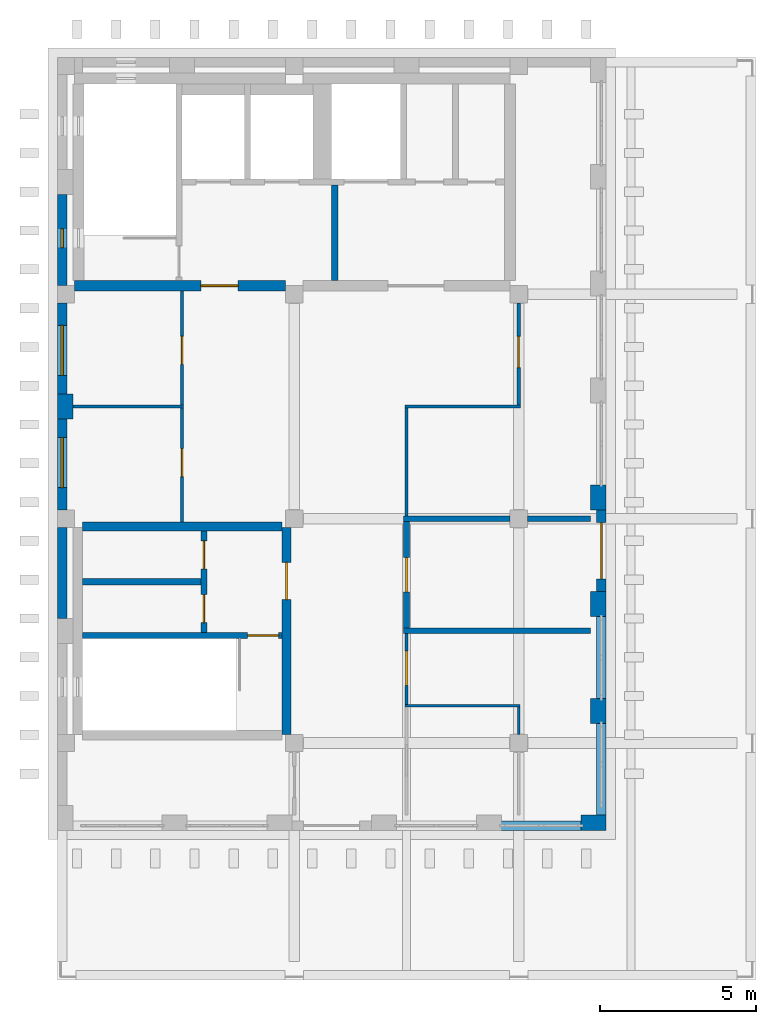
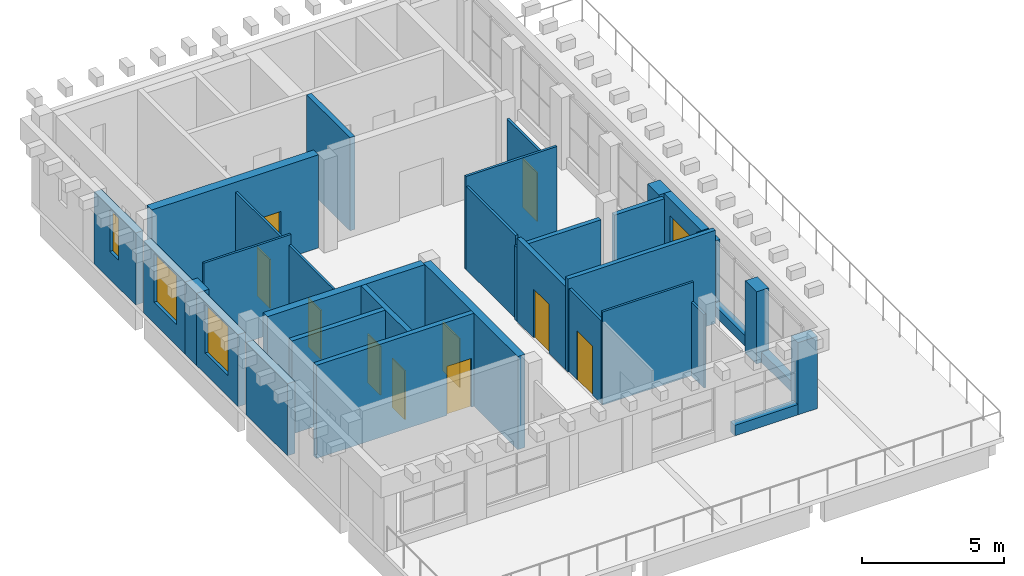
# One storey, part 4 of 6: 33 walls, 11 doors, 3 windows, 14 openings.
"""IFC4 building model written with IfcOpenShell, lengths in metres."""

from ifc_helpers import new_model, si_unit, direction, frame, frame_2d, origin, place, context, subcontext, project, spatial, rectangle, extrude, material, layer, layer_set, type_object, element, fill, save


model = new_model("IFC4")

# Units and contexts
model_context = context("Model", 3, precision=1e-05, world=origin(), true_north=direction((0.0, 1.0)))
body_context = subcontext(model_context, "Body", "Model", "MODEL_VIEW")
ifc_project = project(units=[si_unit("LENGTHUNIT", "METRE"), si_unit("AREAUNIT", "SQUARE_METRE"), si_unit("VOLUMEUNIT", "CUBIC_METRE"), si_unit("PLANEANGLEUNIT", "RADIAN"), si_unit("MASSUNIT", "GRAM", prefix="KILO")], contexts=[model_context])

# Site, building, storey
site_placement = place(None, origin())
site = spatial("IfcSite", under=ifc_project, at=site_placement, CompositionType="ELEMENT")
building_placement = place(site_placement, origin())
building = spatial("IfcBuilding", under=site, at=building_placement, Name="Ussher Court Research Institute", CompositionType="ELEMENT")
storey_placement = place(building_placement, frame((0.0, 0.0, 41.39990234375)))
storey = spatial("IfcBuildingStorey", under=building, at=storey_placement, Name="L09", CompositionType="ELEMENT", Elevation=41.39990234375)

# Walls
ifc_material_1 = material(Name="Plasterboard on steel studs with mineral wool", Category="steel")
ifc_layer_1 = layer(ifc_material_1, 0.179931640625)
ifc_layer_set_1 = layer_set([ifc_layer_1], Name="Plasterboard on steel studs with mineral wool")
wall_type_1 = type_object("IfcWallType", Name="Acoustic twin-stud partition 180", PredefinedType="PARTITIONING", material=ifc_layer_set_1)
wall_1_placement = place(storey_placement, frame((92.909912109375, 14.800048828125, 0.0), z_axis=(0.0, 0.0, 1.0), x_axis=(1.0, 0.0, 0.0)))
element("IfcWall", 1, at=wall_1_placement, inside=storey, type_object=wall_type_1, Name="Partition", PredefinedType="PARTITIONING", context=body_context, shape_type="SweptSolid", body=[
    extrude(rectangle(XDim=5.989990234375, YDim=0.179931640625, at=frame_2d((2.9951171875, 0.0))), origin(), (0.0, 0.0, 1.0), 4.0),
])
wall_2_placement = place(storey_placement, frame((92.909912109375, 18.39990234375, 0.0), z_axis=(0.0, 0.0, 1.0), x_axis=(1.0, 0.0, 0.0)))
element("IfcWall", 2, at=wall_2_placement, inside=storey, type_object=wall_type_1, Name="Partition", PredefinedType="PARTITIONING", context=body_context, shape_type="SweptSolid", body=[
    extrude(rectangle(XDim=3.4150390625, YDim=0.179931640625, at=frame_2d((1.70751953125, 0.0))), origin(), (0.0, 0.0, 1.0), 3.170166015625),
])
wall_3_placement = place(storey_placement, frame((96.875, 18.39990234375, 0.0), z_axis=(0.0, 0.0, 1.0), x_axis=(1.0, 0.0, 0.0)))
element("IfcWall", 3, at=wall_3_placement, inside=storey, type_object=wall_type_1, Name="Partition", PredefinedType="PARTITIONING", context=body_context, shape_type="SweptSolid", body=[
    extrude(rectangle(XDim=2.02490234375, YDim=0.179931640625, at=frame_2d((1.012451171875, 0.0))), origin(), (0.0, 0.0, 1.0), 3.170166015625),
])

# Wall, opening, door
wall_4_placement = place(storey_placement, frame((93.0, 18.31005859375, 0.0), z_axis=(0.0, 0.0, 1.0), x_axis=(0.0, -1.0, 0.0)))
wall_4 = element("IfcWall", 4, at=wall_4_placement, inside=storey, type_object=wall_type_1, Name="Partition", PredefinedType="PARTITIONING", context=body_context, shape_type="SweptSolid", body=[
    extrude(rectangle(XDim=3.420166015625, YDim=0.179931640625, at=frame_2d((1.7099609375, 0.0))), origin(), (0.0, 0.0, 1.0), 3.570068359375),
])
opening_1_placement = place(wall_4_placement, frame((1.159912109375, 0.0, 0.0)))
opening_1 = element("IfcOpeningElement", 5, at=opening_1_placement, cuts=wall_4, Name="Opening D09012", PredefinedType="OPENING", context=body_context, shape_type="SweptSolid", body=[
    extrude(rectangle(XDim=1.10009765625, YDim=2.10009765625, at=frame_2d((0.550048828125, 1.050048828125))), frame((0.0, 0.10009765625, 0.0), z_axis=(0.0, -1.0, 0.0), x_axis=(1.0, 0.0, 0.0)), (0.0, 0.0, 1.0), 0.199951171875),
])
ifc_material_2 = material(Name="Veneered timber door", Category="wood")
door_type_1 = type_object("IfcDoorType", Name="Boardroom door 1100x2100", OperationType="NOTDEFINED", PredefinedType="DOOR", material=ifc_material_2)
door_1_placement = place(opening_1_placement, origin())
door_1 = element("IfcDoor", 6, at=door_1_placement, inside=storey, type_object=door_type_1, Name="Door D09012", OperationType="SINGLE_SWING_LEFT", OverallHeight=2.10009765625, OverallWidth=1.10009765625, PredefinedType="DOOR", context=body_context, shape_type="SweptSolid", body=[
    extrude(rectangle(XDim=1.10009765625, YDim=2.10009765625, at=frame_2d((0.550048828125, 1.050048828125))), frame((0.0, 0.02490234375, 0.0), z_axis=(0.0, -1.0, 0.0), x_axis=(1.0, 0.0, 0.0)), (0.0, 0.0, 1.0), 0.050048828125),
])
fill(opening_1, door_1)

# Wall, opening, window
ifc_material_3 = material(Name="Blockwork with cream render", Category="masonry")
ifc_layer_2 = layer(ifc_material_3, 0.300048828125)
ifc_layer_set_2 = layer_set([ifc_layer_2], Name="Blockwork with cream render")
wall_type_2 = type_object("IfcWallType", Name="External wall 300 cream render", PredefinedType="SOLIDWALL", material=ifc_layer_set_2)
wall_5_placement = place(storey_placement, frame((81.949951171875, 18.675048828125, 0.0), z_axis=(0.0, 0.0, 1.0), x_axis=(0.0, 1.0, 0.0)))
wall_5 = element("IfcWall", 7, at=wall_5_placement, inside=storey, type_object=wall_type_2, Name="External wall EW1 L09", PredefinedType="SOLIDWALL", context=body_context, shape_type="SweptSolid", body=[
    extrude(rectangle(XDim=2.925048828125, YDim=0.300048828125, at=frame_2d((1.46240234375, 0.0))), origin(), (0.0, 0.0, 1.0), 3.10009765625),
])
opening_2_placement = place(wall_5_placement, frame((0.72509765625, 0.0, 0.89990234375)))
opening_2 = element("IfcOpeningElement", 8, at=opening_2_placement, cuts=wall_5, Name="Opening W12", PredefinedType="OPENING", context=body_context, shape_type="SweptSolid", body=[
    extrude(rectangle(XDim=1.60009765625, YDim=2.10009765625, at=frame_2d((0.800048828125, 1.050048828125))), frame((0.0, 0.16015625, 0.0), z_axis=(0.0, -1.0, 0.0), x_axis=(1.0, 0.0, 0.0)), (0.0, 0.0, 1.0), 0.320068359375),
])
ifc_material_4 = material(Name="Bronze anodised aluminium with double glazing", Category="aluminium")
window_type_1 = type_object("IfcWindowType", Name="Top floor office window 1600x2100", PartitioningType="DOUBLE_PANEL_VERTICAL", PredefinedType="WINDOW", material=ifc_material_4)
window_1_placement = place(opening_2_placement, origin())
window_1 = element("IfcWindow", 9, at=window_1_placement, inside=storey, type_object=window_type_1, Name="Window W12 L09", OverallHeight=2.10009765625, OverallWidth=1.60009765625, PartitioningType="SINGLE_PANEL", PredefinedType="WINDOW", context=body_context, shape_type="SweptSolid", body=[
    extrude(rectangle(XDim=1.60009765625, YDim=2.10009765625, at=frame_2d((0.800048828125, 1.050048828125))), frame((0.0, 0.030029296875, 0.0), z_axis=(0.0, -1.0, 0.0), x_axis=(1.0, 0.0, 0.0)), (0.0, 0.0, 1.0), 0.06005859375),
])
fill(opening_2, window_1)

wall_6_placement = place(storey_placement, frame((81.949951171875, 22.39990234375, 0.0), z_axis=(0.0, 0.0, 1.0), x_axis=(0.0, 1.0, 0.0)))
wall_6 = element("IfcWall", 10, at=wall_6_placement, inside=storey, type_object=wall_type_2, Name="External wall EW1 L09", PredefinedType="SOLIDWALL", context=body_context, shape_type="SweptSolid", body=[
    extrude(rectangle(XDim=2.925048828125, YDim=0.300048828125, at=frame_2d((1.46240234375, 0.0))), origin(), (0.0, 0.0, 1.0), 3.10009765625),
])
opening_3_placement = place(wall_6_placement, frame((0.60009765625, 0.0, 0.89990234375)))
opening_3 = element("IfcOpeningElement", 11, at=opening_3_placement, cuts=wall_6, Name="Opening W12", PredefinedType="OPENING", context=body_context, shape_type="SweptSolid", body=[
    extrude(rectangle(XDim=1.60009765625, YDim=2.10009765625, at=frame_2d((0.800048828125, 1.050048828125))), frame((0.0, 0.16015625, 0.0), z_axis=(0.0, -1.0, 0.0), x_axis=(1.0, 0.0, 0.0)), (0.0, 0.0, 1.0), 0.320068359375),
])
window_2_placement = place(opening_3_placement, origin())
window_2 = element("IfcWindow", 12, at=window_2_placement, inside=storey, type_object=window_type_1, Name="Window W12 L09", OverallHeight=2.10009765625, OverallWidth=1.60009765625, PartitioningType="SINGLE_PANEL", PredefinedType="WINDOW", context=body_context, shape_type="SweptSolid", body=[
    extrude(rectangle(XDim=1.60009765625, YDim=2.10009765625, at=frame_2d((0.800048828125, 1.050048828125))), frame((0.0, 0.030029296875, 0.0), z_axis=(0.0, -1.0, 0.0), x_axis=(1.0, 0.0, 0.0)), (0.0, 0.0, 1.0), 0.06005859375),
])
fill(opening_3, window_2)

# Wall, opening, door
wall_7_placement = place(storey_placement, frame((99.25, 18.685791015625, 0.0), z_axis=(0.0, 0.0, 1.0), x_axis=(0.0, -1.0, 0.0)))
wall_7 = element("IfcWall", 13, at=wall_7_placement, inside=storey, type_object=wall_type_2, Name="External wall EW1 L09", PredefinedType="SOLIDWALL", context=body_context, shape_type="SweptSolid", body=[
    extrude(rectangle(XDim=2.628662109375, YDim=0.300048828125, at=frame_2d((1.314453125, 0.0))), origin(), (0.0, 0.0, 1.0), 3.10009765625),
])
opening_4_placement = place(wall_7_placement, frame((0.414306640625, 0.0, 0.0)))
opening_4 = element("IfcOpeningElement", 14, at=opening_4_placement, cuts=wall_7, Name="Opening DX31", PredefinedType="OPENING", context=body_context, shape_type="SweptSolid", body=[
    extrude(rectangle(XDim=1.800048828125, YDim=2.39990234375, at=frame_2d((0.89990234375, 1.199951171875))), frame((0.0, 0.16015625, 0.0), z_axis=(0.0, -1.0, 0.0), x_axis=(1.0, 0.0, 0.0)), (0.0, 0.0, 1.0), 0.320068359375),
])
ifc_material_5 = material(Name="Bronze anodised aluminium with toughened glass", Category="aluminium")
door_type_2 = type_object("IfcDoorType", Name="Terrace double door 1800x2400", OperationType="DOUBLE_DOOR_SINGLE_SWING", PredefinedType="DOOR", material=ifc_material_5)
door_2_placement = place(opening_4_placement, origin())
door_2 = element("IfcDoor", 15, at=door_2_placement, inside=storey, type_object=door_type_2, Name="Door DX31", OperationType="SINGLE_SWING_LEFT", OverallHeight=2.39990234375, OverallWidth=1.800048828125, PredefinedType="DOOR", context=body_context, shape_type="SweptSolid", body=[
    extrude(rectangle(XDim=1.800048828125, YDim=2.39990234375, at=frame_2d((0.89990234375, 1.199951171875))), frame((0.0, 0.02490234375, 0.0), z_axis=(0.0, -1.0, 0.0), x_axis=(1.0, 0.0, 0.0)), (0.0, 0.0, 1.0), 0.050048828125),
])
fill(opening_4, door_2)

# Walls
wall_8_placement = place(storey_placement, frame((99.25, 15.257080078125, 0.0), z_axis=(0.0, 0.0, 1.0), x_axis=(0.0, -1.0, 0.0)))
element("IfcWall", 16, at=wall_8_placement, inside=storey, type_object=wall_type_2, Name="Plinth wall EW1 L09", PredefinedType="SOLIDWALL", context=body_context, shape_type="SweptSolid", body=[
    extrude(rectangle(XDim=2.62841796875, YDim=0.300048828125, at=frame_2d((1.314208984375, 0.0))), origin(), (0.0, 0.0, 1.0), 0.4501953125),
])
wall_9_placement = place(storey_placement, frame((99.25, 11.82861328125, 0.0), z_axis=(0.0, 0.0, 1.0), x_axis=(0.0, -1.0, 0.0)))
element("IfcWall", 17, at=wall_9_placement, inside=storey, type_object=wall_type_2, Name="Plinth wall EW1 L09", PredefinedType="SOLIDWALL", context=body_context, shape_type="SweptSolid", body=[
    extrude(rectangle(XDim=2.9287109375, YDim=0.300048828125, at=frame_2d((1.46435546875, 0.0))), origin(), (0.0, 0.0, 1.0), 0.4501953125),
])
wall_10_placement = place(storey_placement, frame((98.60009765625, 8.550048828125, 0.0), z_axis=(0.0, 0.0, 1.0), x_axis=(-1.0, 0.0, 0.0)))
element("IfcWall", 18, at=wall_10_placement, inside=storey, type_object=wall_type_2, Name="Plinth wall EW1 L09", PredefinedType="SOLIDWALL", context=body_context, shape_type="SweptSolid", body=[
    extrude(rectangle(XDim=2.56005859375, YDim=0.300048828125, at=frame_2d((1.280029296875, 0.0))), origin(), (0.0, 0.0, 1.0), 0.4501953125),
])
ifc_material_6 = material(Name="Limestone facing on blockwork", Category="masonry")
ifc_layer_3 = layer(ifc_material_6, 0.300048828125)
ifc_layer_set_3 = layer_set([ifc_layer_3], Name="Limestone facing on blockwork")
wall_type_3 = type_object("IfcWallType", Name="External wall 300 stair enclosure", PredefinedType="SOLIDWALL", material=ifc_layer_set_3)
wall_11_placement = place(storey_placement, frame((81.949951171875, 15.199951171875, 0.0), z_axis=(0.0, 0.0, 1.0), x_axis=(0.0, 1.0, 0.0)))
element("IfcWall", 19, at=wall_11_placement, inside=storey, type_object=wall_type_3, Name="External wall EW5 L09", PredefinedType="SOLIDWALL", context=body_context, shape_type="SweptSolid", body=[
    extrude(rectangle(XDim=2.925048828125, YDim=0.300048828125, at=frame_2d((1.46240234375, 0.0))), origin(), (0.0, 0.0, 1.0), 3.10009765625),
])

# Wall, opening, window
wall_12_placement = place(storey_placement, frame((81.949951171875, 25.875, 0.0), z_axis=(0.0, 0.0, 1.0), x_axis=(0.0, 1.0, 0.0)))
wall_12 = element("IfcWall", 20, at=wall_12_placement, inside=storey, type_object=wall_type_3, Name="External wall EW5 L09", PredefinedType="SOLIDWALL", context=body_context, shape_type="SweptSolid", body=[
    extrude(rectangle(XDim=2.925048828125, YDim=0.300048828125, at=frame_2d((1.46240234375, 0.0))), origin(), (0.0, 0.0, 1.0), 3.10009765625),
])
opening_5_placement = place(wall_12_placement, frame((1.22509765625, 0.0, 1.199951171875)))
opening_5 = element("IfcOpeningElement", 21, at=opening_5_placement, cuts=wall_12, Name="Opening W25", PredefinedType="OPENING", context=body_context, shape_type="SweptSolid", body=[
    extrude(rectangle(XDim=0.60009765625, YDim=1.800048828125, at=frame_2d((0.300048828125, 0.89990234375))), frame((0.0, 0.16015625, 0.0), z_axis=(0.0, -1.0, 0.0), x_axis=(1.0, 0.0, 0.0)), (0.0, 0.0, 1.0), 0.320068359375),
])
ifc_material_7 = material(Name="Bronze anodised aluminium with double glazing", Category="aluminium")
window_type_2 = type_object("IfcWindowType", Name="Stair light slot window 600x1800 fire-resisting glazing", PartitioningType="SINGLE_PANEL", PredefinedType="WINDOW", material=ifc_material_7)
window_3_placement = place(opening_5_placement, origin())
window_3 = element("IfcWindow", 22, at=window_3_placement, inside=storey, type_object=window_type_2, Name="Window W25 L09", OverallHeight=1.800048828125, OverallWidth=0.60009765625, PartitioningType="SINGLE_PANEL", PredefinedType="WINDOW", context=body_context, shape_type="SweptSolid", body=[
    extrude(rectangle(XDim=0.60009765625, YDim=1.800048828125, at=frame_2d((0.300048828125, 0.89990234375))), frame((0.0, 0.030029296875, 0.0), z_axis=(0.0, -1.0, 0.0), x_axis=(1.0, 0.0, 0.0)), (0.0, 0.0, 1.0), 0.06005859375),
])
fill(opening_5, window_3)

# Wall
ifc_material_8 = material(Name="Plastered blockwork", Category="masonry")
ifc_layer_4 = layer(ifc_material_8, 0.10009765625)
ifc_layer_set_4 = layer_set([ifc_layer_4], Name="Plastered blockwork")
wall_type_4 = type_object("IfcWallType", Name="Partition plastered blockwork 100", PredefinedType="PARTITIONING", material=ifc_layer_set_4)
wall_13_placement = place(storey_placement, frame((92.949951171875, 22.0, 0.0), z_axis=(0.0, 0.0, 1.0), x_axis=(1.0, 0.0, 0.0)))
element("IfcWall", 23, at=wall_13_placement, inside=storey, type_object=wall_type_4, Name="Partition", PredefinedType="PARTITIONING", context=body_context, shape_type="SweptSolid", body=[
    extrude(rectangle(XDim=3.699951171875, YDim=0.10009765625, at=frame_2d((1.85009765625, 0.0))), origin(), (0.0, 0.0, 1.0), 4.0),
])

# Wall, opening, door
wall_14_placement = place(storey_placement, frame((93.0, 14.7099609375, 0.0), z_axis=(0.0, 0.0, 1.0), x_axis=(0.0, -1.0, 0.0)))
wall_14 = element("IfcWall", 24, at=wall_14_placement, inside=storey, type_object=wall_type_4, Name="Partition", PredefinedType="PARTITIONING", context=body_context, shape_type="SweptSolid", body=[
    extrude(rectangle(XDim=2.264892578125, YDim=0.10009765625, at=frame_2d((1.13232421875, 0.0))), origin(), (0.0, 0.0, 1.0), 3.570068359375),
])
opening_6_placement = place(wall_14_placement, frame((0.56005859375, 0.0, 0.0)))
opening_6 = element("IfcOpeningElement", 25, at=opening_6_placement, cuts=wall_14, Name="Opening D09011", PredefinedType="OPENING", context=body_context, shape_type="SweptSolid", body=[
    extrude(rectangle(XDim=1.10009765625, YDim=2.10009765625, at=frame_2d((0.550048828125, 1.050048828125))), frame((0.0, 0.06005859375, 0.0), z_axis=(0.0, -1.0, 0.0), x_axis=(1.0, 0.0, 0.0)), (0.0, 0.0, 1.0), 0.1201171875),
])
door_3_placement = place(opening_6_placement, origin())
door_3 = element("IfcDoor", 26, at=door_3_placement, inside=storey, type_object=door_type_1, Name="Door D09011", OperationType="SINGLE_SWING_LEFT", OverallHeight=2.10009765625, OverallWidth=1.10009765625, PredefinedType="DOOR", context=body_context, shape_type="SweptSolid", body=[
    extrude(rectangle(XDim=1.10009765625, YDim=2.10009765625, at=frame_2d((0.550048828125, 1.050048828125))), frame((0.0, 0.02490234375, 0.0), z_axis=(0.0, -1.0, 0.0), x_axis=(1.0, 0.0, 0.0)), (0.0, 0.0, 1.0), 0.050048828125),
])
fill(opening_6, door_3)

# Wall
wall_15_placement = place(storey_placement, frame((93.0, 18.489990234375, 0.0), z_axis=(0.0, 0.0, 1.0), x_axis=(0.0, 1.0, 0.0)))
element("IfcWall", 27, at=wall_15_placement, inside=storey, type_object=wall_type_4, Name="Partition", PredefinedType="PARTITIONING", context=body_context, shape_type="SweptSolid", body=[
    extrude(rectangle(XDim=3.4599609375, YDim=0.10009765625, at=frame_2d((1.72998046875, 0.0))), origin(), (0.0, 0.0, 1.0), 3.570068359375),
])

# Wall, opening, door
wall_16_placement = place(storey_placement, frame((96.60009765625, 25.324951171875, 0.0), z_axis=(0.0, 0.0, 1.0), x_axis=(0.0, -1.0, 0.0)))
wall_16 = element("IfcWall", 28, at=wall_16_placement, inside=storey, type_object=wall_type_4, Name="Partition", PredefinedType="PARTITIONING", context=body_context, shape_type="SweptSolid", body=[
    extrude(rectangle(XDim=3.27490234375, YDim=0.10009765625, at=frame_2d((1.637451171875, 0.0))), origin(), (0.0, 0.0, 1.0), 3.170166015625),
])
opening_7_placement = place(wall_16_placement, frame((1.074951171875, 0.0, 0.0)))
opening_7 = element("IfcOpeningElement", 29, at=opening_7_placement, cuts=wall_16, Name="Opening D09016", PredefinedType="OPENING", context=body_context, shape_type="SweptSolid", body=[
    extrude(rectangle(XDim=1.0, YDim=2.10009765625, at=frame_2d((0.5, 1.050048828125))), frame((0.0, 0.06005859375, 0.0), z_axis=(0.0, -1.0, 0.0), x_axis=(1.0, 0.0, 0.0)), (0.0, 0.0, 1.0), 0.1201171875),
])
ifc_material_9 = material(Name="Veneered timber door", Category="wood")
door_type_3 = type_object("IfcDoorType", Name="Lounge door 1000x2100", OperationType="NOTDEFINED", PredefinedType="DOOR", material=ifc_material_9)
door_4_placement = place(opening_7_placement, origin())
door_4 = element("IfcDoor", 30, at=door_4_placement, inside=storey, type_object=door_type_3, Name="Door D09016", OperationType="SINGLE_SWING_LEFT", OverallHeight=2.10009765625, OverallWidth=1.0, PredefinedType="DOOR", context=body_context, shape_type="SweptSolid", body=[
    extrude(rectangle(XDim=1.0, YDim=2.10009765625, at=frame_2d((0.5, 1.050048828125))), frame((0.0, 0.02490234375, 0.0), z_axis=(0.0, -1.0, 0.0), x_axis=(1.0, 0.0, 0.0)), (0.0, 0.0, 1.0), 0.050048828125),
])
fill(opening_7, door_4)

# Walls
ifc_material_10 = material(Name="Blockwork with cream render", Category="masonry")
ifc_layer_5 = layer(ifc_material_10, 0.5)
ifc_layer_set_5 = layer_set([ifc_layer_5], Name="Blockwork with cream render")
wall_type_5 = type_object("IfcWallType", Name="Pier 800x500 cream render", PredefinedType="SOLIDWALL", material=ifc_layer_set_5)
for number, where, z_axis, x_axis, name in (
    (31, (82.050048828125, 21.60009765625, 0.0), (0.0, 0.0, 1.0), (0.0, 1.0, 0.0), "Pier PR1 L09"),
    (32, (99.14990234375, 19.485595703125, 0.0), (0.0, 0.0, 1.0), (0.0, -1.0, 0.0), "Pier PR1 L09"),
):
    element("IfcWall", number, at=place(storey_placement, frame(where, z_axis=z_axis, x_axis=x_axis)), inside=storey, type_object=wall_type_5, Name=name, PredefinedType="SOLIDWALL", context=body_context, shape_type="SweptSolid", body=[
        extrude(rectangle(XDim=0.7998046875, YDim=0.5, at=frame_2d((0.39990234375, 0.0))), origin(), (0.0, 0.0, 1.0), 3.10009765625),
    ])
for number, where, z_axis, x_axis, name in (
    (33, (99.14990234375, 16.05712890625, 0.0), (0.0, 0.0, 1.0), (0.0, -1.0, 0.0), "Pier PR1 L09"),
    (34, (99.14990234375, 12.628662109375, 0.0), (0.0, 0.0, 1.0), (0.0, -1.0, 0.0), "Pier PR1 L09"),
):
    element("IfcWall", number, at=place(storey_placement, frame(where, z_axis=z_axis, x_axis=x_axis)), inside=storey, type_object=wall_type_5, Name=name, PredefinedType="SOLIDWALL", context=body_context, shape_type="SweptSolid", body=[
        extrude(rectangle(XDim=0.800048828125, YDim=0.5, at=frame_2d((0.39990234375, 0.0))), origin(), (0.0, 0.0, 1.0), 3.10009765625),
    ])
wall_17_placement = place(storey_placement, frame((99.39990234375, 8.64990234375, 0.0), z_axis=(0.0, 0.0, 1.0), x_axis=(-1.0, 0.0, 0.0)))
element("IfcWall", 35, at=wall_17_placement, inside=storey, type_object=wall_type_5, Name="Pier PR1 L09", PredefinedType="SOLIDWALL", context=body_context, shape_type="SweptSolid", body=[
    extrude(rectangle(XDim=0.7998046875, YDim=0.5, at=frame_2d((0.39990234375, 0.0))), origin(), (0.0, 0.0, 1.0), 3.10009765625),
])
ifc_material_11 = material(Name="Concrete C35/45", Category="concrete")
ifc_layer_6 = layer(ifc_material_11, 0.199951171875)
ifc_layer_set_6 = layer_set([ifc_layer_6], Name="Concrete C35/45")
wall_type_6 = type_object("IfcWallType", Name="RC core wall 200", PredefinedType="SHEAR", material=ifc_layer_set_6)
wall_18_placement = place(storey_placement, frame((90.699951171875, 26.050048828125, 0.0), z_axis=(0.0, 0.0, 1.0), x_axis=(0.0, 1.0, 0.0)))
element("IfcWall", 36, at=wall_18_placement, inside=storey, type_object=wall_type_6, Name="Core wall T1", PredefinedType="SHEAR", context=body_context, shape_type="SweptSolid", body=[
    extrude(rectangle(XDim=3.050048828125, YDim=0.199951171875, at=frame_2d((1.52490234375, 0.0))), origin(), (0.0, 0.0, 1.0), 4.0),
])

# Wall, opening, door
wall_19_placement = place(storey_placement, frame((89.0, 14.64990234375, 0.0), z_axis=(0.0, 0.0, 1.0), x_axis=(-1.0, 0.0, 0.0)))
wall_19 = element("IfcWall", 37, at=wall_19_placement, inside=storey, type_object=wall_type_6, Name="Core wall T2", PredefinedType="SHEAR", context=body_context, shape_type="SweptSolid", body=[
    extrude(rectangle(XDim=6.39990234375, YDim=0.199951171875, at=frame_2d((3.199951171875, 0.0))), origin(), (0.0, 0.0, 1.0), 4.0),
])
opening_8_placement = place(wall_19_placement, frame((0.10009765625, 0.0, 0.0)))
opening_8 = element("IfcOpeningElement", 38, at=opening_8_placement, cuts=wall_19, Name="Opening D09007", PredefinedType="OPENING", context=body_context, shape_type="SweptSolid", body=[
    extrude(rectangle(XDim=1.0, YDim=2.10009765625, at=frame_2d((0.5, 1.050048828125))), frame((0.0, 0.10986328125, 0.0), z_axis=(0.0, -1.0, 0.0), x_axis=(1.0, 0.0, 0.0)), (0.0, 0.0, 1.0), 0.219970703125),
])
ifc_material_12 = material(Name="Painted steel faced fire door", Category="steel")
door_type_4 = type_object("IfcDoorType", Name="Fire door 1000x2100 FD60", OperationType="NOTDEFINED", PredefinedType="DOOR", material=ifc_material_12)
door_5_placement = place(opening_8_placement, origin())
door_5 = element("IfcDoor", 39, at=door_5_placement, inside=storey, type_object=door_type_4, Name="Door D09007", OperationType="SINGLE_SWING_LEFT", OverallHeight=2.10009765625, OverallWidth=1.0, PredefinedType="DOOR", context=body_context, shape_type="SweptSolid", body=[
    extrude(rectangle(XDim=1.0, YDim=2.10009765625, at=frame_2d((0.5, 1.050048828125))), frame((0.0, 0.02490234375, 0.0), z_axis=(0.0, -1.0, 0.0), x_axis=(1.0, 0.0, 0.0)), (0.0, 0.0, 1.0), 0.050048828125),
])
fill(opening_8, door_5)

# Wall, openings, doors
wall_20_placement = place(storey_placement, frame((86.5, 18.0, 0.0), z_axis=(0.0, 0.0, 1.0), x_axis=(0.0, -1.0, 0.0)))
wall_20 = element("IfcWall", 40, at=wall_20_placement, inside=storey, type_object=wall_type_6, Name="Core wall T2", PredefinedType="SHEAR", context=body_context, shape_type="SweptSolid", body=[
    extrude(rectangle(XDim=3.25, YDim=0.199951171875, at=frame_2d((1.625, 0.0))), origin(), (0.0, 0.0, 1.0), 4.0),
])
opening_9_placement = place(wall_20_placement, frame((2.03759765625, 0.0, 0.0)))
opening_9 = element("IfcOpeningElement", 41, at=opening_9_placement, cuts=wall_20, Name="Opening D09004", PredefinedType="OPENING", context=body_context, shape_type="SweptSolid", body=[
    extrude(rectangle(XDim=0.89990234375, YDim=2.10009765625, at=frame_2d((0.449951171875, 1.050048828125))), frame((0.0, 0.10986328125, 0.0), z_axis=(0.0, -1.0, 0.0), x_axis=(1.0, 0.0, 0.0)), (0.0, 0.0, 1.0), 0.219970703125),
])
opening_10_placement = place(wall_20_placement, frame((0.3125, 0.0, 0.0)))
opening_10 = element("IfcOpeningElement", 42, at=opening_10_placement, cuts=wall_20, Name="Opening D09005", PredefinedType="OPENING", context=body_context, shape_type="SweptSolid", body=[
    extrude(rectangle(XDim=0.89990234375, YDim=2.10009765625, at=frame_2d((0.449951171875, 1.050048828125))), frame((0.0, 0.10986328125, 0.0), z_axis=(0.0, -1.0, 0.0), x_axis=(1.0, 0.0, 0.0)), (0.0, 0.0, 1.0), 0.219970703125),
])
ifc_material_13 = material(Name="Painted steel faced fire door", Category="steel")
door_type_5 = type_object("IfcDoorType", Name="Fire door 900x2100 FD60", OperationType="NOTDEFINED", PredefinedType="DOOR", material=ifc_material_13)
door_6_placement = place(opening_9_placement, origin())
door_6 = element("IfcDoor", 43, at=door_6_placement, inside=storey, type_object=door_type_5, Name="Door D09004", OperationType="SINGLE_SWING_RIGHT", OverallHeight=2.10009765625, OverallWidth=0.89990234375, PredefinedType="DOOR", context=body_context, shape_type="SweptSolid", body=[
    extrude(rectangle(XDim=0.89990234375, YDim=2.10009765625, at=frame_2d((0.449951171875, 1.050048828125))), frame((0.0, 0.02490234375, 0.0), z_axis=(0.0, -1.0, 0.0), x_axis=(1.0, 0.0, 0.0)), (0.0, 0.0, 1.0), 0.050048828125),
])
fill(opening_9, door_6)
door_7_placement = place(opening_10_placement, origin())
door_7 = element("IfcDoor", 44, at=door_7_placement, inside=storey, type_object=door_type_5, Name="Door D09005", OperationType="SINGLE_SWING_LEFT", OverallHeight=2.10009765625, OverallWidth=0.89990234375, PredefinedType="DOOR", context=body_context, shape_type="SweptSolid", body=[
    extrude(rectangle(XDim=0.89990234375, YDim=2.10009765625, at=frame_2d((0.449951171875, 1.050048828125))), frame((0.0, 0.02490234375, 0.0), z_axis=(0.0, -1.0, 0.0), x_axis=(1.0, 0.0, 0.0)), (0.0, 0.0, 1.0), 0.050048828125),
])
fill(opening_10, door_7)

# Wall
wall_21_placement = place(storey_placement, frame((82.60009765625, 16.375, 0.0), z_axis=(0.0, 0.0, 1.0), x_axis=(1.0, 0.0, 0.0)))
element("IfcWall", 45, at=wall_21_placement, inside=storey, type_object=wall_type_6, Name="Core wall T2", PredefinedType="SHEAR", context=body_context, shape_type="SweptSolid", body=[
    extrude(rectangle(XDim=3.7998046875, YDim=0.199951171875, at=frame_2d((1.89990234375, 0.0))), origin(), (0.0, 0.0, 1.0), 4.0),
])

# Wall, opening, door
ifc_material_14 = material(Name="Concrete C35/45", Category="concrete")
ifc_layer_7 = layer(ifc_material_14, 0.300048828125)
ifc_layer_set_7 = layer_set([ifc_layer_7], Name="Concrete C35/45")
wall_type_7 = type_object("IfcWallType", Name="RC core wall 300", PredefinedType="SHEAR", material=ifc_layer_set_7)
wall_22_placement = place(storey_placement, frame((89.14990234375, 11.47509765625, 0.0), z_axis=(0.0, 0.0, 1.0), x_axis=(0.0, 1.0, 0.0)))
wall_22 = element("IfcWall", 46, at=wall_22_placement, inside=storey, type_object=wall_type_7, Name="Core wall T2", PredefinedType="SHEAR", context=body_context, shape_type="SweptSolid", body=[
    extrude(rectangle(XDim=6.64990234375, YDim=0.300048828125, at=frame_2d((3.324951171875, 0.0))), origin(), (0.0, 0.0, 1.0), 4.0),
])
opening_11_placement = place(wall_22_placement, frame((4.324951171875, 0.0, 0.0)))
opening_11 = element("IfcOpeningElement", 47, at=opening_11_placement, cuts=wall_22, Name="Opening D09008", PredefinedType="OPENING", context=body_context, shape_type="SweptSolid", body=[
    extrude(rectangle(XDim=1.199951171875, YDim=2.10009765625, at=frame_2d((0.60009765625, 1.050048828125))), frame((0.0, 0.16015625, 0.0), z_axis=(0.0, -1.0, 0.0), x_axis=(1.0, 0.0, 0.0)), (0.0, 0.0, 1.0), 0.320068359375),
])
ifc_material_15 = material(Name="Painted steel faced fire door", Category="steel")
door_type_6 = type_object("IfcDoorType", Name="Fire door 1200x2100 FD60", OperationType="NOTDEFINED", PredefinedType="DOOR", material=ifc_material_15)
door_8_placement = place(opening_11_placement, origin())
door_8 = element("IfcDoor", 48, at=door_8_placement, inside=storey, type_object=door_type_6, Name="Door D09008", OperationType="SINGLE_SWING_RIGHT", OverallHeight=2.10009765625, OverallWidth=1.199951171875, PredefinedType="DOOR", context=body_context, shape_type="SweptSolid", body=[
    extrude(rectangle(XDim=1.199951171875, YDim=2.10009765625, at=frame_2d((0.60009765625, 1.050048828125))), frame((0.0, 0.02490234375, 0.0), z_axis=(0.0, -1.0, 0.0), x_axis=(1.0, 0.0, 0.0)), (0.0, 0.0, 1.0), 0.050048828125),
])
fill(opening_11, door_8)

# Wall
wall_23_placement = place(storey_placement, frame((82.60009765625, 18.14990234375, 0.0), z_axis=(0.0, 0.0, 1.0), x_axis=(1.0, 0.0, 0.0)))
element("IfcWall", 49, at=wall_23_placement, inside=storey, type_object=wall_type_7, Name="Core wall T2", PredefinedType="SHEAR", context=body_context, shape_type="SweptSolid", body=[
    extrude(rectangle(XDim=6.39990234375, YDim=0.300048828125, at=frame_2d((3.199951171875, 0.0))), origin(), (0.0, 0.0, 1.0), 4.0),
])

# Wall, opening, door
ifc_material_16 = material(Name="Concrete C35/45", Category="concrete")
ifc_layer_8 = layer(ifc_material_16, 0.35009765625)
ifc_layer_set_8 = layer_set([ifc_layer_8], Name="Concrete C35/45")
wall_type_8 = type_object("IfcWallType", Name="RC core wall 350", PredefinedType="SHEAR", material=ifc_layer_set_8)
wall_24_placement = place(storey_placement, frame((82.35009765625, 25.875, 0.0), z_axis=(0.0, 0.0, 1.0), x_axis=(1.0, 0.0, 0.0)))
wall_24 = element("IfcWall", 50, at=wall_24_placement, inside=storey, type_object=wall_type_8, Name="Core wall T1", PredefinedType="SHEAR", context=body_context, shape_type="SweptSolid", body=[
    extrude(rectangle(XDim=6.77490234375, YDim=0.35009765625, at=frame_2d((3.387451171875, 0.0))), origin(), (0.0, 0.0, 1.0), 4.0),
])
opening_12_placement = place(wall_24_placement, frame((4.050048828125, 0.0, 0.0)))
opening_12 = element("IfcOpeningElement", 51, at=opening_12_placement, cuts=wall_24, Name="Opening D09006", PredefinedType="OPENING", context=body_context, shape_type="SweptSolid", body=[
    extrude(rectangle(XDim=1.199951171875, YDim=2.10009765625, at=frame_2d((0.60009765625, 1.050048828125))), frame((0.0, 0.18505859375, 0.0), z_axis=(0.0, -1.0, 0.0), x_axis=(1.0, 0.0, 0.0)), (0.0, 0.0, 1.0), 0.3701171875),
])
door_9_placement = place(opening_12_placement, origin())
door_9 = element("IfcDoor", 52, at=door_9_placement, inside=storey, type_object=door_type_6, Name="Door D09006", OperationType="SINGLE_SWING_RIGHT", OverallHeight=2.10009765625, OverallWidth=1.199951171875, PredefinedType="DOOR", context=body_context, shape_type="SweptSolid", body=[
    extrude(rectangle(XDim=1.199951171875, YDim=2.10009765625, at=frame_2d((0.60009765625, 1.050048828125))), frame((0.0, 0.02490234375, 0.0), z_axis=(0.0, -1.0, 0.0), x_axis=(1.0, 0.0, 0.0)), (0.0, 0.0, 1.0), 0.050048828125),
])
fill(opening_12, door_9)

# Walls
ifc_material_17 = material(Name="Moisture-resistant board on steel studs", Category="steel")
ifc_layer_9 = layer(ifc_material_17, 0.090087890625)
ifc_layer_set_9 = layer_set([ifc_layer_9], Name="Moisture-resistant board on steel studs")
wall_type_9 = type_object("IfcWallType", Name="WC lining partition 90", PredefinedType="PARTITIONING", material=ifc_layer_set_9)
wall_25_placement = place(storey_placement, frame((92.949951171875, 12.39990234375, 0.0), z_axis=(0.0, 0.0, 1.0), x_axis=(1.0, 0.0, 0.0)))
element("IfcWall", 53, at=wall_25_placement, inside=storey, type_object=wall_type_9, Name="Partition", PredefinedType="PARTITIONING", context=body_context, shape_type="SweptSolid", body=[
    extrude(rectangle(XDim=3.695068359375, YDim=0.090087890625, at=frame_2d((1.84765625, 0.0))), origin(), (0.0, 0.0, 1.0), 4.0),
])
wall_26_placement = place(storey_placement, frame((82.300048828125, 22.0, 0.0), z_axis=(0.0, 0.0, 1.0), x_axis=(1.0, 0.0, 0.0)))
element("IfcWall", 54, at=wall_26_placement, inside=storey, type_object=wall_type_9, Name="Partition", PredefinedType="PARTITIONING", context=body_context, shape_type="SweptSolid", body=[
    extrude(rectangle(XDim=3.544921875, YDim=0.090087890625, at=frame_2d((1.7724609375, 0.0))), origin(), (0.0, 0.0, 1.0), 4.0),
])

# Wall, opening, door
wall_27_placement = place(storey_placement, frame((85.800048828125, 18.300048828125, 0.0), z_axis=(0.0, 0.0, 1.0), x_axis=(0.0, 1.0, 0.0)))
wall_27 = element("IfcWall", 55, at=wall_27_placement, inside=storey, type_object=wall_type_9, Name="Partition", PredefinedType="PARTITIONING", context=body_context, shape_type="SweptSolid", body=[
    extrude(rectangle(XDim=3.655029296875, YDim=0.090087890625, at=frame_2d((1.82763671875, 0.0))), origin(), (0.0, 0.0, 1.0), 3.570068359375),
])
opening_13_placement = place(wall_27_placement, frame((1.449951171875, 0.0, 0.0)))
opening_13 = element("IfcOpeningElement", 56, at=opening_13_placement, cuts=wall_27, Name="Opening D09002", PredefinedType="OPENING", context=body_context, shape_type="SweptSolid", body=[
    extrude(rectangle(XDim=0.89990234375, YDim=2.10009765625, at=frame_2d((0.449951171875, 1.050048828125))), frame((0.0, 0.05517578125, 0.0), z_axis=(0.0, -1.0, 0.0), x_axis=(1.0, 0.0, 0.0)), (0.0, 0.0, 1.0), 0.110107421875),
])
ifc_material_18 = material(Name="Veneered timber door", Category="wood")
door_type_7 = type_object("IfcDoorType", Name="WC door 900x2100", OperationType="NOTDEFINED", PredefinedType="DOOR", material=ifc_material_18)
door_10_placement = place(opening_13_placement, origin())
door_10 = element("IfcDoor", 57, at=door_10_placement, inside=storey, type_object=door_type_7, Name="Door D09002", OperationType="SINGLE_SWING_RIGHT", OverallHeight=2.10009765625, OverallWidth=0.89990234375, PredefinedType="DOOR", context=body_context, shape_type="SweptSolid", body=[
    extrude(rectangle(XDim=0.89990234375, YDim=2.10009765625, at=frame_2d((0.449951171875, 1.050048828125))), frame((0.0, 0.02490234375, 0.0), z_axis=(0.0, -1.0, 0.0), x_axis=(1.0, 0.0, 0.0)), (0.0, 0.0, 1.0), 0.050048828125),
])
fill(opening_13, door_10)

wall_28_placement = place(storey_placement, frame((85.800048828125, 22.044921875, 0.0), z_axis=(0.0, 0.0, 1.0), x_axis=(0.0, 1.0, 0.0)))
wall_28 = element("IfcWall", 58, at=wall_28_placement, inside=storey, type_object=wall_type_9, Name="Partition", PredefinedType="PARTITIONING", context=body_context, shape_type="SweptSolid", body=[
    extrude(rectangle(XDim=3.655029296875, YDim=0.090087890625, at=frame_2d((1.82763671875, 0.0))), origin(), (0.0, 0.0, 1.0), 3.570068359375),
])
opening_14_placement = place(wall_28_placement, frame((1.304931640625, 0.0, 0.0)))
opening_14 = element("IfcOpeningElement", 59, at=opening_14_placement, cuts=wall_28, Name="Opening D09003", PredefinedType="OPENING", context=body_context, shape_type="SweptSolid", body=[
    extrude(rectangle(XDim=0.89990234375, YDim=2.10009765625, at=frame_2d((0.449951171875, 1.050048828125))), frame((0.0, 0.05517578125, 0.0), z_axis=(0.0, -1.0, 0.0), x_axis=(1.0, 0.0, 0.0)), (0.0, 0.0, 1.0), 0.110107421875),
])
door_11_placement = place(opening_14_placement, origin())
door_11 = element("IfcDoor", 60, at=door_11_placement, inside=storey, type_object=door_type_7, Name="Door D09003", OperationType="SINGLE_SWING_LEFT", OverallHeight=2.10009765625, OverallWidth=0.89990234375, PredefinedType="DOOR", context=body_context, shape_type="SweptSolid", body=[
    extrude(rectangle(XDim=0.89990234375, YDim=2.10009765625, at=frame_2d((0.449951171875, 1.050048828125))), frame((0.0, 0.02490234375, 0.0), z_axis=(0.0, -1.0, 0.0), x_axis=(1.0, 0.0, 0.0)), (0.0, 0.0, 1.0), 0.050048828125),
])
fill(opening_14, door_11)

# Wall
wall_29_placement = place(storey_placement, frame((96.60009765625, 11.47509765625, 0.0), z_axis=(0.0, 0.0, 1.0), x_axis=(0.0, 1.0, 0.0)))
element("IfcWall", 61, at=wall_29_placement, inside=storey, type_object=wall_type_9, Name="Partition", PredefinedType="PARTITIONING", context=body_context, shape_type="SweptSolid", body=[
    extrude(rectangle(XDim=0.8798828125, YDim=0.090087890625, at=frame_2d((0.43994140625, 0.0))), origin(), (0.0, 0.0, 1.0), 3.170166015625),
])

save(model, "model.ifc")
